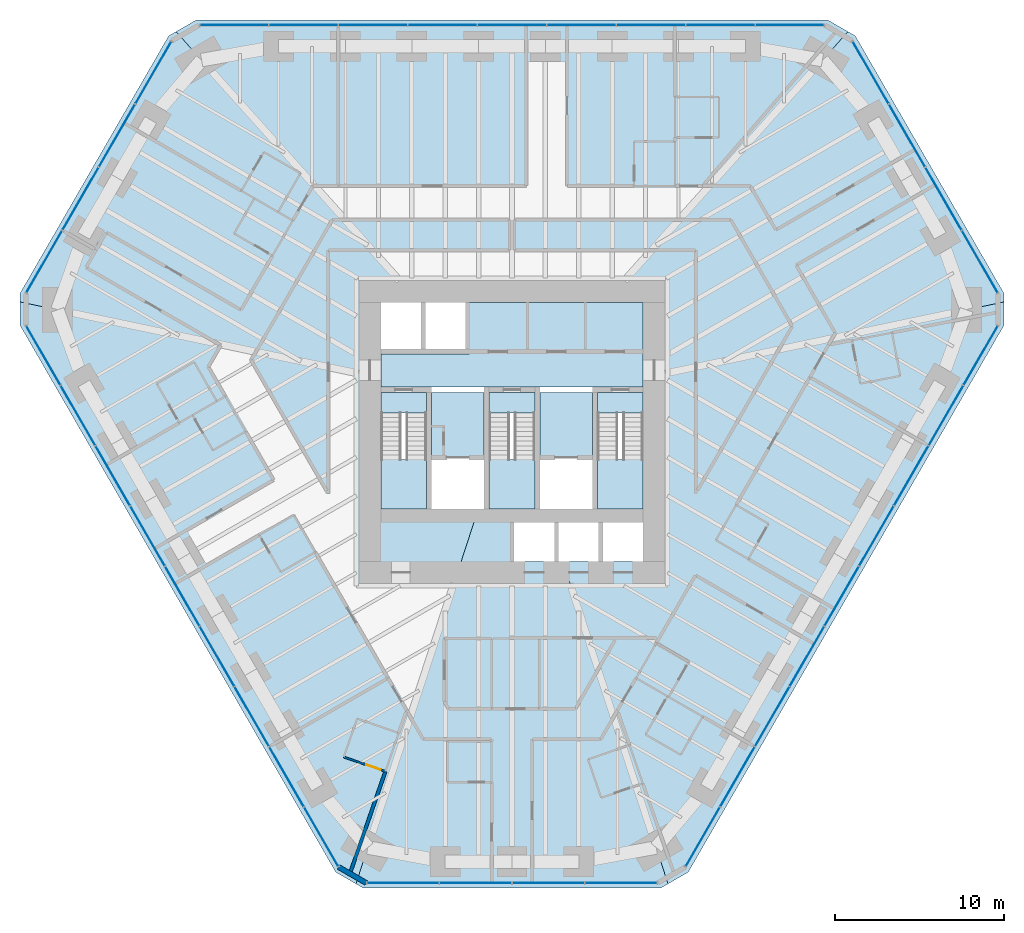
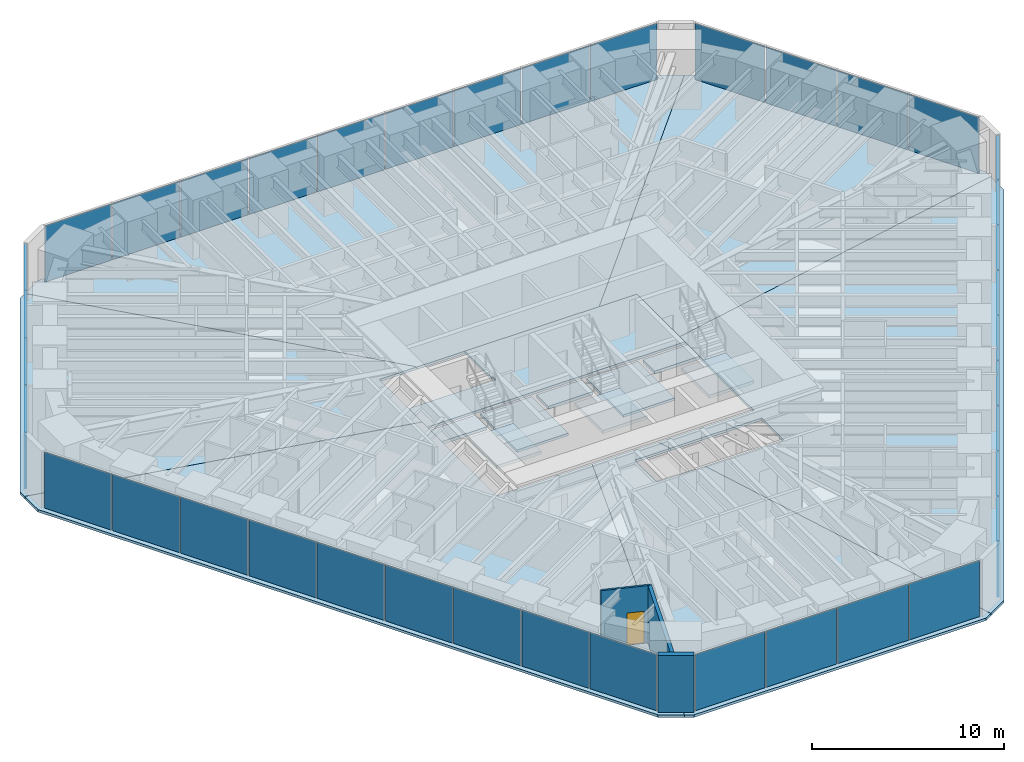
# One storey, part 10 of 16: 39 plates, 15 slabs, 3 walls, 1 door, 1 opening, 9 elements without a shape of their own.
"""IFC4 building model written with IfcOpenShell, lengths in metres."""

from ifc_helpers import new_model, si_unit, direction, frame, frame_2d, origin, origin_2d, place, context, subcontext, project, spatial, polyline, rectangle, outline, extrude, material, layer, layer_set, type_object, element, fill, aggregate, save


model = new_model("IFC4")

# Units and contexts
model_context = context("Model", 3, precision=1e-05, world=origin(), true_north=direction((0.0, 1.0)))
body_context = subcontext(model_context, "Body", "Model", "MODEL_VIEW")
ifc_project = project(units=[si_unit("LENGTHUNIT", "METRE"), si_unit("AREAUNIT", "SQUARE_METRE"), si_unit("VOLUMEUNIT", "CUBIC_METRE"), si_unit("PLANEANGLEUNIT", "RADIAN"), si_unit("MASSUNIT", "GRAM", prefix="KILO")], contexts=[model_context])

# Site, building, storey
site_placement = place(None, origin())
site = spatial("IfcSite", under=ifc_project, at=site_placement, CompositionType="ELEMENT")
building_placement = place(site_placement, origin())
building = spatial("IfcBuilding", under=site, at=building_placement, Name="Sandreach Pilgrim Tower", CompositionType="ELEMENT")
storey_placement = place(building_placement, frame((0.0, 0.0, 131.0)))
storey = spatial("IfcBuildingStorey", under=building, at=storey_placement, Name="L32", CompositionType="ELEMENT", Elevation=131.0)

# Curtain wall, plates
ifc_material_1 = material(Name="Aluminium framed curtain wall", Category="aluminium")
curtain_wall_type = type_object("IfcCurtainWallType", Name="Hotel tower curtain wall", PredefinedType="NOTDEFINED", material=ifc_material_1)
curtain_wall_1_placement = place(storey_placement, origin())
curtain_wall_1 = element("IfcCurtainWall", 1, at=curtain_wall_1_placement, inside=storey, type_object=curtain_wall_type, Name="CW-2 L32 N", PredefinedType="NOTDEFINED")
ifc_material_2 = material(Name="Insulating glass unit 8 heat-strengthened + 16 argon + 8 heat-strengthened", Category="glass")
ifc_layer_1 = layer(ifc_material_2, 0.031982421875)
ifc_layer_set_1 = layer_set([ifc_layer_1], Name="CW-2 panel")
plate_type = type_object("IfcPlateType", Name="CW-2 panel", PredefinedType="CURTAIN_PANEL", material=ifc_layer_set_1)
plate_1_placement = place(storey_placement, frame((-16.41162109375, 22.493896484375, 0.0), z_axis=(0.0, 0.0, 1.0), x_axis=(1.0, 0.0, 0.0)))
plate_1 = element("IfcPlate", 2, at=plate_1_placement, type_object=plate_type, Name="CW-2 panel 1", PredefinedType="CURTAIN_PANEL", context=body_context, shape_type="SweptSolid", body=[
    extrude(rectangle(XDim=4.009521484375, YDim=0.031982421875, at=origin_2d()), origin(), (0.0, 0.0, 1.0), 3.570068359375),
])
plate_2_placement = place(storey_placement, frame((-12.32080078125, 22.493896484375, 0.0), z_axis=(0.0, 0.0, 1.0), x_axis=(1.0, 0.0, 0.0)))
plate_2 = element("IfcPlate", 3, at=plate_2_placement, type_object=plate_type, Name="CW-2 panel 2", PredefinedType="CURTAIN_PANEL", context=body_context, shape_type="SweptSolid", body=[
    extrude(rectangle(XDim=4.0419921875, YDim=0.031982421875, at=origin_2d()), origin(), (0.0, 0.0, 1.0), 3.570068359375),
])
plate_3_placement = place(storey_placement, frame((-8.2138671875, 22.493896484375, 0.0), z_axis=(0.0, 0.0, 1.0), x_axis=(1.0, 0.0, 0.0)))
plate_3 = element("IfcPlate", 4, at=plate_3_placement, type_object=plate_type, Name="CW-2 panel 3", PredefinedType="CURTAIN_PANEL", context=body_context, shape_type="SweptSolid", body=[
    extrude(rectangle(XDim=4.0419921875, YDim=0.031982421875, at=origin_2d()), origin(), (0.0, 0.0, 1.0), 3.570068359375),
])
plate_4_placement = place(storey_placement, frame((-4.10693359375, 22.493896484375, 0.0), z_axis=(0.0, 0.0, 1.0), x_axis=(1.0, 0.0, 0.0)))
plate_4 = element("IfcPlate", 5, at=plate_4_placement, type_object=plate_type, Name="CW-2 panel 4", PredefinedType="CURTAIN_PANEL", context=body_context, shape_type="SweptSolid", body=[
    extrude(rectangle(XDim=4.0419921875, YDim=0.031982421875, at=origin_2d()), origin(), (0.0, 0.0, 1.0), 3.570068359375),
])
plate_5_placement = place(storey_placement, frame((0.0, 22.493896484375, 0.0), z_axis=(0.0, 0.0, 1.0), x_axis=(1.0, 0.0, 0.0)))
plate_5 = element("IfcPlate", 6, at=plate_5_placement, type_object=plate_type, Name="CW-2 panel 5", PredefinedType="CURTAIN_PANEL", context=body_context, shape_type="SweptSolid", body=[
    extrude(rectangle(XDim=4.0419921875, YDim=0.031982421875, at=origin_2d()), origin(), (0.0, 0.0, 1.0), 3.570068359375),
])
plate_6_placement = place(storey_placement, frame((4.10693359375, 22.493896484375, 0.0), z_axis=(0.0, 0.0, 1.0), x_axis=(1.0, 0.0, 0.0)))
plate_6 = element("IfcPlate", 7, at=plate_6_placement, type_object=plate_type, Name="CW-2 panel 6", PredefinedType="CURTAIN_PANEL", context=body_context, shape_type="SweptSolid", body=[
    extrude(rectangle(XDim=4.0419921875, YDim=0.031982421875, at=origin_2d()), origin(), (0.0, 0.0, 1.0), 3.570068359375),
])
plate_7_placement = place(storey_placement, frame((8.2138671875, 22.493896484375, 0.0), z_axis=(0.0, 0.0, 1.0), x_axis=(1.0, 0.0, 0.0)))
plate_7 = element("IfcPlate", 8, at=plate_7_placement, type_object=plate_type, Name="CW-2 panel 7", PredefinedType="CURTAIN_PANEL", context=body_context, shape_type="SweptSolid", body=[
    extrude(rectangle(XDim=4.0419921875, YDim=0.031982421875, at=origin_2d()), origin(), (0.0, 0.0, 1.0), 3.570068359375),
])
plate_8_placement = place(storey_placement, frame((12.32080078125, 22.493896484375, 0.0), z_axis=(0.0, 0.0, 1.0), x_axis=(1.0, 0.0, 0.0)))
plate_8 = element("IfcPlate", 9, at=plate_8_placement, type_object=plate_type, Name="CW-2 panel 8", PredefinedType="CURTAIN_PANEL", context=body_context, shape_type="SweptSolid", body=[
    extrude(rectangle(XDim=4.0419921875, YDim=0.031982421875, at=origin_2d()), origin(), (0.0, 0.0, 1.0), 3.570068359375),
])
plate_9_placement = place(storey_placement, frame((16.41162109375, 22.493896484375, 0.0), z_axis=(0.0, 0.0, 1.0), x_axis=(1.0, 0.0, 0.0)))
plate_9 = element("IfcPlate", 10, at=plate_9_placement, type_object=plate_type, Name="CW-2 panel 9", PredefinedType="CURTAIN_PANEL", context=body_context, shape_type="SweptSolid", body=[
    extrude(rectangle(XDim=4.009521484375, YDim=0.031982421875, at=origin_2d()), origin(), (0.0, 0.0, 1.0), 3.570068359375),
])
aggregate(curtain_wall_1, [plate_1, plate_2, plate_3, plate_4, plate_5, plate_6, plate_7, plate_8, plate_9])

curtain_wall_2_placement = place(storey_placement, origin())
curtain_wall_2 = element("IfcCurtainWall", 11, at=curtain_wall_2_placement, inside=storey, type_object=curtain_wall_type, Name="CW-2 L32 NE", PredefinedType="NOTDEFINED")
plate_10_placement = place(storey_placement, frame((21.194091796875, 19.67529296875, 0.0), z_axis=(0.0, 0.0, 1.0), x_axis=(0.5, -0.866025403784, 0.0)))
plate_10 = element("IfcPlate", 12, at=plate_10_placement, type_object=plate_type, Name="CW-2 panel 1", PredefinedType="CURTAIN_PANEL", context=body_context, shape_type="SweptSolid", body=[
    extrude(rectangle(XDim=4.208251953125, YDim=0.031982421875, at=origin_2d()), origin(), (0.0, 0.0, 1.0), 3.570068359375),
])
plate_11_placement = place(storey_placement, frame((23.3388671875, 15.96044921875, 0.0), z_axis=(0.0, 0.0, 1.0), x_axis=(0.5, -0.866025403784, 0.0)))
plate_11 = element("IfcPlate", 13, at=plate_11_placement, type_object=plate_type, Name="CW-2 panel 2", PredefinedType="CURTAIN_PANEL", context=body_context, shape_type="SweptSolid", body=[
    extrude(rectangle(XDim=4.24072265625, YDim=0.031982421875, at=origin_2d()), origin(), (0.0, 0.0, 1.0), 3.570068359375),
])
plate_12_placement = place(storey_placement, frame((25.49169921875, 12.231689453125, 0.0), z_axis=(0.0, 0.0, 1.0), x_axis=(0.5, -0.866025403784, 0.0)))
plate_12 = element("IfcPlate", 14, at=plate_12_placement, type_object=plate_type, Name="CW-2 panel 3", PredefinedType="CURTAIN_PANEL", context=body_context, shape_type="SweptSolid", body=[
    extrude(rectangle(XDim=4.24072265625, YDim=0.031982421875, at=origin_2d()), origin(), (0.0, 0.0, 1.0), 3.570068359375),
])
plate_13_placement = place(storey_placement, frame((27.63623046875, 8.516845703125, 0.0), z_axis=(0.0, 0.0, 1.0), x_axis=(0.5, -0.866025403784, 0.0)))
plate_13 = element("IfcPlate", 15, at=plate_13_placement, type_object=plate_type, Name="CW-2 panel 4", PredefinedType="CURTAIN_PANEL", context=body_context, shape_type="SweptSolid", body=[
    extrude(rectangle(XDim=4.208251953125, YDim=0.031982421875, at=origin_2d()), origin(), (0.0, 0.0, 1.0), 3.570068359375),
])
aggregate(curtain_wall_2, [plate_10, plate_11, plate_12, plate_13])

curtain_wall_3_placement = place(storey_placement, origin())
curtain_wall_3 = element("IfcCurtainWall", 16, at=curtain_wall_3_placement, inside=storey, type_object=curtain_wall_type, Name="CW-2 L32 SE", PredefinedType="NOTDEFINED")
plate_14_placement = place(storey_placement, frame((27.68603515625, 2.966064453125, 0.0), z_axis=(0.0, 0.0, 1.0), x_axis=(-0.5, -0.866025403784, 0.0)))
plate_14 = element("IfcPlate", 17, at=plate_14_placement, type_object=plate_type, Name="CW-2 panel 1", PredefinedType="CURTAIN_PANEL", context=body_context, shape_type="SweptSolid", body=[
    extrude(rectangle(XDim=4.009521484375, YDim=0.031982421875, at=origin_2d()), origin(), (0.0, 0.0, 1.0), 3.570068359375),
])
plate_15_placement = place(storey_placement, frame((25.640625, -0.57666015625, 0.0), z_axis=(0.0, 0.0, 1.0), x_axis=(-0.5, -0.866025403784, 0.0)))
plate_15 = element("IfcPlate", 18, at=plate_15_placement, type_object=plate_type, Name="CW-2 panel 2", PredefinedType="CURTAIN_PANEL", context=body_context, shape_type="SweptSolid", body=[
    extrude(rectangle(XDim=4.0419921875, YDim=0.031982421875, at=origin_2d()), origin(), (0.0, 0.0, 1.0), 3.570068359375),
])
plate_16_placement = place(storey_placement, frame((23.587158203125, -4.13330078125, 0.0), z_axis=(0.0, 0.0, 1.0), x_axis=(-0.5, -0.866025403784, 0.0)))
plate_16 = element("IfcPlate", 19, at=plate_16_placement, type_object=plate_type, Name="CW-2 panel 3", PredefinedType="CURTAIN_PANEL", context=body_context, shape_type="SweptSolid", body=[
    extrude(rectangle(XDim=4.0419921875, YDim=0.031982421875, at=origin_2d()), origin(), (0.0, 0.0, 1.0), 3.570068359375),
])
plate_17_placement = place(storey_placement, frame((21.53369140625, -7.690185546875, 0.0), z_axis=(0.0, 0.0, 1.0), x_axis=(-0.5, -0.866025403784, 0.0)))
plate_17 = element("IfcPlate", 20, at=plate_17_placement, type_object=plate_type, Name="CW-2 panel 4", PredefinedType="CURTAIN_PANEL", context=body_context, shape_type="SweptSolid", body=[
    extrude(rectangle(XDim=4.0419921875, YDim=0.031982421875, at=origin_2d()), origin(), (0.0, 0.0, 1.0), 3.570068359375),
])
plate_18_placement = place(storey_placement, frame((19.480224609375, -11.246826171875, 0.0), z_axis=(0.0, 0.0, 1.0), x_axis=(-0.5, -0.866025403784, 0.0)))
plate_18 = element("IfcPlate", 21, at=plate_18_placement, type_object=plate_type, Name="CW-2 panel 5", PredefinedType="CURTAIN_PANEL", context=body_context, shape_type="SweptSolid", body=[
    extrude(rectangle(XDim=4.0419921875, YDim=0.031982421875, at=origin_2d()), origin(), (0.0, 0.0, 1.0), 3.570068359375),
])
plate_19_placement = place(storey_placement, frame((17.4267578125, -14.8037109375, 0.0), z_axis=(0.0, 0.0, 1.0), x_axis=(-0.5, -0.866025403784, 0.0)))
plate_19 = element("IfcPlate", 22, at=plate_19_placement, type_object=plate_type, Name="CW-2 panel 6", PredefinedType="CURTAIN_PANEL", context=body_context, shape_type="SweptSolid", body=[
    extrude(rectangle(XDim=4.0419921875, YDim=0.031982421875, at=origin_2d()), origin(), (0.0, 0.0, 1.0), 3.570068359375),
])
plate_20_placement = place(storey_placement, frame((15.373291015625, -18.3603515625, 0.0), z_axis=(0.0, 0.0, 1.0), x_axis=(-0.5, -0.866025403784, 0.0)))
plate_20 = element("IfcPlate", 23, at=plate_20_placement, type_object=plate_type, Name="CW-2 panel 7", PredefinedType="CURTAIN_PANEL", context=body_context, shape_type="SweptSolid", body=[
    extrude(rectangle(XDim=4.0419921875, YDim=0.031982421875, at=origin_2d()), origin(), (0.0, 0.0, 1.0), 3.570068359375),
])
plate_21_placement = place(storey_placement, frame((13.31982421875, -21.917236328125, 0.0), z_axis=(0.0, 0.0, 1.0), x_axis=(-0.5, -0.866025403784, 0.0)))
plate_21 = element("IfcPlate", 24, at=plate_21_placement, type_object=plate_type, Name="CW-2 panel 8", PredefinedType="CURTAIN_PANEL", context=body_context, shape_type="SweptSolid", body=[
    extrude(rectangle(XDim=4.0419921875, YDim=0.031982421875, at=origin_2d()), origin(), (0.0, 0.0, 1.0), 3.570068359375),
])
plate_22_placement = place(storey_placement, frame((11.2744140625, -25.459716796875, 0.0), z_axis=(0.0, 0.0, 1.0), x_axis=(-0.5, -0.866025403784, 0.0)))
plate_22 = element("IfcPlate", 25, at=plate_22_placement, type_object=plate_type, Name="CW-2 panel 9", PredefinedType="CURTAIN_PANEL", context=body_context, shape_type="SweptSolid", body=[
    extrude(rectangle(XDim=4.009521484375, YDim=0.031982421875, at=origin_2d()), origin(), (0.0, 0.0, 1.0), 3.570068359375),
])
aggregate(curtain_wall_3, [plate_14, plate_15, plate_16, plate_17, plate_18, plate_19, plate_20, plate_21, plate_22])

curtain_wall_4_placement = place(storey_placement, origin())
curtain_wall_4 = element("IfcCurtainWall", 26, at=curtain_wall_4_placement, inside=storey, type_object=curtain_wall_type, Name="CW-2 L32 S", PredefinedType="NOTDEFINED")
plate_23_placement = place(storey_placement, frame((6.4423828125, -28.192138671875, 0.0), z_axis=(0.0, 0.0, 1.0), x_axis=(-1.0, 0.0, 0.0)))
plate_23 = element("IfcPlate", 27, at=plate_23_placement, type_object=plate_type, Name="CW-2 panel 1", PredefinedType="CURTAIN_PANEL", context=body_context, shape_type="SweptSolid", body=[
    extrude(rectangle(XDim=4.208251953125, YDim=0.031982421875, at=origin_2d()), origin(), (0.0, 0.0, 1.0), 3.570068359375),
])
plate_24_placement = place(storey_placement, frame((2.15283203125, -28.192138671875, 0.0), z_axis=(0.0, 0.0, 1.0), x_axis=(-1.0, 0.0, 0.0)))
plate_24 = element("IfcPlate", 28, at=plate_24_placement, type_object=plate_type, Name="CW-2 panel 2", PredefinedType="CURTAIN_PANEL", context=body_context, shape_type="SweptSolid", body=[
    extrude(rectangle(XDim=4.24072265625, YDim=0.031982421875, at=origin_2d()), origin(), (0.0, 0.0, 1.0), 3.570068359375),
])
plate_25_placement = place(storey_placement, frame((-2.15283203125, -28.192138671875, 0.0), z_axis=(0.0, 0.0, 1.0), x_axis=(-1.0, 0.0, 0.0)))
plate_25 = element("IfcPlate", 29, at=plate_25_placement, type_object=plate_type, Name="CW-2 panel 3", PredefinedType="CURTAIN_PANEL", context=body_context, shape_type="SweptSolid", body=[
    extrude(rectangle(XDim=4.24072265625, YDim=0.031982421875, at=origin_2d()), origin(), (0.0, 0.0, 1.0), 3.570068359375),
])
plate_26_placement = place(storey_placement, frame((-6.4423828125, -28.192138671875, 0.0), z_axis=(0.0, 0.0, 1.0), x_axis=(-1.0, 0.0, 0.0)))
plate_26 = element("IfcPlate", 30, at=plate_26_placement, type_object=plate_type, Name="CW-2 panel 4", PredefinedType="CURTAIN_PANEL", context=body_context, shape_type="SweptSolid", body=[
    extrude(rectangle(XDim=4.208251953125, YDim=0.031982421875, at=origin_2d()), origin(), (0.0, 0.0, 1.0), 3.570068359375),
])
aggregate(curtain_wall_4, [plate_23, plate_24, plate_25, plate_26])

curtain_wall_5_placement = place(storey_placement, origin())
curtain_wall_5 = element("IfcCurtainWall", 31, at=curtain_wall_5_placement, inside=storey, type_object=curtain_wall_type, Name="CW-2 L32 SW", PredefinedType="NOTDEFINED")
plate_27_placement = place(storey_placement, frame((-11.2744140625, -25.459716796875, 0.0), z_axis=(0.0, 0.0, 1.0), x_axis=(-0.5, 0.866025403784, 0.0)))
plate_27 = element("IfcPlate", 32, at=plate_27_placement, type_object=plate_type, Name="CW-2 panel 1", PredefinedType="CURTAIN_PANEL", context=body_context, shape_type="SweptSolid", body=[
    extrude(rectangle(XDim=4.009521484375, YDim=0.031982421875, at=origin_2d()), origin(), (0.0, 0.0, 1.0), 3.570068359375),
])
plate_28_placement = place(storey_placement, frame((-13.31982421875, -21.917236328125, 0.0), z_axis=(0.0, 0.0, 1.0), x_axis=(-0.5, 0.866025403784, 0.0)))
plate_28 = element("IfcPlate", 33, at=plate_28_placement, type_object=plate_type, Name="CW-2 panel 2", PredefinedType="CURTAIN_PANEL", context=body_context, shape_type="SweptSolid", body=[
    extrude(rectangle(XDim=4.0419921875, YDim=0.031982421875, at=origin_2d()), origin(), (0.0, 0.0, 1.0), 3.570068359375),
])
plate_29_placement = place(storey_placement, frame((-15.373291015625, -18.3603515625, 0.0), z_axis=(0.0, 0.0, 1.0), x_axis=(-0.5, 0.866025403784, 0.0)))
plate_29 = element("IfcPlate", 34, at=plate_29_placement, type_object=plate_type, Name="CW-2 panel 3", PredefinedType="CURTAIN_PANEL", context=body_context, shape_type="SweptSolid", body=[
    extrude(rectangle(XDim=4.0419921875, YDim=0.031982421875, at=origin_2d()), origin(), (0.0, 0.0, 1.0), 3.570068359375),
])
plate_30_placement = place(storey_placement, frame((-17.4267578125, -14.8037109375, 0.0), z_axis=(0.0, 0.0, 1.0), x_axis=(-0.5, 0.866025403784, 0.0)))
plate_30 = element("IfcPlate", 35, at=plate_30_placement, type_object=plate_type, Name="CW-2 panel 4", PredefinedType="CURTAIN_PANEL", context=body_context, shape_type="SweptSolid", body=[
    extrude(rectangle(XDim=4.0419921875, YDim=0.031982421875, at=origin_2d()), origin(), (0.0, 0.0, 1.0), 3.570068359375),
])
plate_31_placement = place(storey_placement, frame((-19.480224609375, -11.246826171875, 0.0), z_axis=(0.0, 0.0, 1.0), x_axis=(-0.5, 0.866025403784, 0.0)))
plate_31 = element("IfcPlate", 36, at=plate_31_placement, type_object=plate_type, Name="CW-2 panel 5", PredefinedType="CURTAIN_PANEL", context=body_context, shape_type="SweptSolid", body=[
    extrude(rectangle(XDim=4.0419921875, YDim=0.031982421875, at=origin_2d()), origin(), (0.0, 0.0, 1.0), 3.570068359375),
])
plate_32_placement = place(storey_placement, frame((-21.53369140625, -7.690185546875, 0.0), z_axis=(0.0, 0.0, 1.0), x_axis=(-0.5, 0.866025403784, 0.0)))
plate_32 = element("IfcPlate", 37, at=plate_32_placement, type_object=plate_type, Name="CW-2 panel 6", PredefinedType="CURTAIN_PANEL", context=body_context, shape_type="SweptSolid", body=[
    extrude(rectangle(XDim=4.0419921875, YDim=0.031982421875, at=origin_2d()), origin(), (0.0, 0.0, 1.0), 3.570068359375),
])
plate_33_placement = place(storey_placement, frame((-23.587158203125, -4.13330078125, 0.0), z_axis=(0.0, 0.0, 1.0), x_axis=(-0.5, 0.866025403784, 0.0)))
plate_33 = element("IfcPlate", 38, at=plate_33_placement, type_object=plate_type, Name="CW-2 panel 7", PredefinedType="CURTAIN_PANEL", context=body_context, shape_type="SweptSolid", body=[
    extrude(rectangle(XDim=4.0419921875, YDim=0.031982421875, at=origin_2d()), origin(), (0.0, 0.0, 1.0), 3.570068359375),
])
plate_34_placement = place(storey_placement, frame((-25.640625, -0.57666015625, 0.0), z_axis=(0.0, 0.0, 1.0), x_axis=(-0.5, 0.866025403784, 0.0)))
plate_34 = element("IfcPlate", 39, at=plate_34_placement, type_object=plate_type, Name="CW-2 panel 8", PredefinedType="CURTAIN_PANEL", context=body_context, shape_type="SweptSolid", body=[
    extrude(rectangle(XDim=4.0419921875, YDim=0.031982421875, at=origin_2d()), origin(), (0.0, 0.0, 1.0), 3.570068359375),
])
plate_35_placement = place(storey_placement, frame((-27.68603515625, 2.966064453125, 0.0), z_axis=(0.0, 0.0, 1.0), x_axis=(-0.5, 0.866025403784, 0.0)))
plate_35 = element("IfcPlate", 40, at=plate_35_placement, type_object=plate_type, Name="CW-2 panel 9", PredefinedType="CURTAIN_PANEL", context=body_context, shape_type="SweptSolid", body=[
    extrude(rectangle(XDim=4.009521484375, YDim=0.031982421875, at=origin_2d()), origin(), (0.0, 0.0, 1.0), 3.570068359375),
])
aggregate(curtain_wall_5, [plate_27, plate_28, plate_29, plate_30, plate_31, plate_32, plate_33, plate_34, plate_35])

curtain_wall_6_placement = place(storey_placement, origin())
curtain_wall_6 = element("IfcCurtainWall", 41, at=curtain_wall_6_placement, inside=storey, type_object=curtain_wall_type, Name="CW-2 L32 NW", PredefinedType="NOTDEFINED")
plate_36_placement = place(storey_placement, frame((-27.63623046875, 8.516845703125, 0.0), z_axis=(0.0, 0.0, 1.0), x_axis=(0.5, 0.866025403784, 0.0)))
plate_36 = element("IfcPlate", 42, at=plate_36_placement, type_object=plate_type, Name="CW-2 panel 1", PredefinedType="CURTAIN_PANEL", context=body_context, shape_type="SweptSolid", body=[
    extrude(rectangle(XDim=4.208251953125, YDim=0.031982421875, at=origin_2d()), origin(), (0.0, 0.0, 1.0), 3.570068359375),
])
plate_37_placement = place(storey_placement, frame((-25.49169921875, 12.231689453125, 0.0), z_axis=(0.0, 0.0, 1.0), x_axis=(0.5, 0.866025403784, 0.0)))
plate_37 = element("IfcPlate", 43, at=plate_37_placement, type_object=plate_type, Name="CW-2 panel 2", PredefinedType="CURTAIN_PANEL", context=body_context, shape_type="SweptSolid", body=[
    extrude(rectangle(XDim=4.24072265625, YDim=0.031982421875, at=origin_2d()), origin(), (0.0, 0.0, 1.0), 3.570068359375),
])
plate_38_placement = place(storey_placement, frame((-23.3388671875, 15.96044921875, 0.0), z_axis=(0.0, 0.0, 1.0), x_axis=(0.5, 0.866025403784, 0.0)))
plate_38 = element("IfcPlate", 44, at=plate_38_placement, type_object=plate_type, Name="CW-2 panel 3", PredefinedType="CURTAIN_PANEL", context=body_context, shape_type="SweptSolid", body=[
    extrude(rectangle(XDim=4.24072265625, YDim=0.031982421875, at=origin_2d()), origin(), (0.0, 0.0, 1.0), 3.570068359375),
])
plate_39_placement = place(storey_placement, frame((-21.194091796875, 19.67529296875, 0.0), z_axis=(0.0, 0.0, 1.0), x_axis=(0.5, 0.866025403784, 0.0)))
plate_39 = element("IfcPlate", 45, at=plate_39_placement, type_object=plate_type, Name="CW-2 panel 4", PredefinedType="CURTAIN_PANEL", context=body_context, shape_type="SweptSolid", body=[
    extrude(rectangle(XDim=4.208251953125, YDim=0.031982421875, at=origin_2d()), origin(), (0.0, 0.0, 1.0), 3.570068359375),
])
aggregate(curtain_wall_6, [plate_36, plate_37, plate_38, plate_39])

# Slabs
ifc_material_3 = material(Name="Concrete 8000 psi", Category="concrete")
ifc_layer_2 = layer(ifc_material_3, 0.159912109375)
ifc_layer_set_2 = layer_set([ifc_layer_2], Name="Composite floor slab 160")
slab_type_1 = type_object("IfcSlabType", Name="Composite floor slab 160", PredefinedType="FLOOR", material=ifc_layer_set_2)
slab_1_placement = place(storey_placement, frame((0.0, 0.0, -0.159912109375)))
element("IfcSlab", 46, at=slab_1_placement, inside=storey, type_object=slab_type_1, Name="Floor slab L32 N sector", PredefinedType="FLOOR", context=body_context, shape_type="SweptSolid", body=[
    extrude(outline(polyline([(-18.654541015625, 22.793701171875), (18.654541015625, 22.793701171875), (19.848388671875, 22.1044921875), (5.477294921875, 6.10009765625), (-5.477294921875, 6.10009765625), (-19.848388671875, 22.1044921875), (-18.654541015625, 22.793701171875)])), origin(), (0.0, 0.0, 1.0), 0.159912109375),
])
slab_2_placement = place(storey_placement, frame((0.0, 0.0, -0.159912109375)))
element("IfcSlab", 47, at=slab_2_placement, inside=storey, type_object=slab_type_1, Name="Floor slab L32 NE sector", PredefinedType="FLOOR", context=body_context, shape_type="SweptSolid", body=[
    extrude(outline(polyline([(20.28271484375, 21.853759765625), (29.0673828125, 6.638427734375), (29.0673828125, 6.13720703125), (7.75, 1.63623046875), (7.75, 6.10009765625), (5.477294921875, 6.10009765625), (19.848388671875, 22.1044921875), (20.28271484375, 21.853759765625)])), origin(), (0.0, 0.0, 1.0), 0.159912109375),
])
slab_3_placement = place(storey_placement, frame((0.0, 0.0, -0.159912109375)))
element("IfcSlab", 48, at=slab_3_placement, inside=storey, type_object=slab_type_1, Name="Floor slab L32 SE sector", PredefinedType="FLOOR", context=body_context, shape_type="SweptSolid", body=[
    extrude(outline(polyline([(29.0673828125, 4.75830078125), (10.41259765625, -27.55224609375), (9.21875, -28.241455078125), (3.003173828125, -9.199951171875), (7.75, -9.199951171875), (7.75, -6.89990234375), (2.252197265625, -6.89990234375), (1.9912109375, -6.10009765625), (7.75, -6.10009765625), (7.75, 1.63623046875), (29.0673828125, 6.13720703125), (29.0673828125, 4.75830078125)])), origin(), (0.0, 0.0, 1.0), 0.159912109375),
])
slab_4_placement = place(storey_placement, frame((0.0, 0.0, -0.159912109375)))
element("IfcSlab", 49, at=slab_4_placement, inside=storey, type_object=slab_type_1, Name="Floor slab L32 S sector", PredefinedType="FLOOR", context=body_context, shape_type="SweptSolid", body=[
    extrude(outline(polyline([(8.78466796875, -28.4921875), (-8.78466796875, -28.4921875), (-9.21875, -28.241455078125), (-1.9912109375, -6.10009765625), (1.9912109375, -6.10009765625), (2.252197265625, -6.89990234375), (0.125, -6.89990234375), (0.125, -9.199951171875), (3.003173828125, -9.199951171875), (9.21875, -28.241455078125), (8.78466796875, -28.4921875)])), origin(), (0.0, 0.0, 1.0), 0.159912109375),
])
slab_5_placement = place(storey_placement, frame((0.0, 0.0, -0.159912109375)))
element("IfcSlab", 50, at=slab_5_placement, inside=storey, type_object=slab_type_1, Name="Floor slab L32 SW sector", PredefinedType="FLOOR", context=body_context, shape_type="SweptSolid", body=[
    extrude(outline(polyline([(-10.41259765625, -27.55224609375), (-29.0673828125, 4.75830078125), (-29.0673828125, 6.13720703125), (-7.75, 1.63623046875), (-7.75, -6.10009765625), (-1.9912109375, -6.10009765625), (-9.21875, -28.241455078125), (-10.41259765625, -27.55224609375)])), origin(), (0.0, 0.0, 1.0), 0.159912109375),
])
slab_6_placement = place(storey_placement, frame((0.0, 0.0, -0.159912109375)))
element("IfcSlab", 51, at=slab_6_placement, inside=storey, type_object=slab_type_1, Name="Floor slab L32 NW sector", PredefinedType="FLOOR", context=body_context, shape_type="SweptSolid", body=[
    extrude(outline(polyline([(-29.0673828125, 6.638427734375), (-20.28271484375, 21.853759765625), (-19.848388671875, 22.1044921875), (-5.477294921875, 6.10009765625), (-7.75, 6.10009765625), (-7.75, 1.63623046875), (-29.0673828125, 6.13720703125), (-29.0673828125, 6.638427734375)])), origin(), (0.0, 0.0, 1.0), 0.159912109375),
])
slab_7_placement = place(storey_placement, frame((0.0, 0.0, -0.159912109375)))
element("IfcSlab", 52, at=slab_7_placement, inside=storey, type_object=slab_type_1, Name="Core floor slab and stores L32", PredefinedType="FLOOR", context=body_context, shape_type="SweptSolid", body=[
    extrude(outline(polyline([(-7.75, 3.050048828125), (-5.375, 3.050048828125), (-5.125, 3.050048828125), (-2.5, 3.050048828125), (-2.5, 3.35009765625), (-2.60009765625, 3.35009765625), (-2.60009765625, 6.10009765625), (7.75, 6.10009765625), (7.75, 1.10009765625), (5.050048828125, 1.10009765625), (4.75, 1.10009765625), (1.64990234375, 1.10009765625), (1.35009765625, 1.10009765625), (-1.35009765625, 1.10009765625), (-1.64990234375, 1.10009765625), (-4.75, 1.10009765625), (-5.050048828125, 1.10009765625), (-7.75, 1.10009765625), (-7.75, 3.050048828125)])), origin(), (0.0, 0.0, 1.0), 0.159912109375),
])
slab_8_placement = place(storey_placement, frame((0.0, 0.0, -0.159912109375)))
element("IfcSlab", 53, at=slab_8_placement, inside=storey, type_object=slab_type_1, Name="Core floor slab and stores L32 2", PredefinedType="FLOOR", context=body_context, shape_type="SweptSolid", body=[
    extrude(outline(polyline([(-1.64990234375, -3.050048828125), (-4.75, -3.050048828125), (-4.75, 0.800048828125), (-1.64990234375, 0.800048828125), (-1.64990234375, -3.050048828125)])), origin(), (0.0, 0.0, 1.0), 0.159912109375),
])
slab_9_placement = place(storey_placement, frame((0.0, 0.0, -0.159912109375)))
element("IfcSlab", 54, at=slab_9_placement, inside=storey, type_object=slab_type_1, Name="Core floor slab and stores L32 3", PredefinedType="FLOOR", context=body_context, shape_type="SweptSolid", body=[
    extrude(outline(polyline([(4.75, -3.050048828125), (1.64990234375, -3.050048828125), (1.64990234375, 0.800048828125), (4.75, 0.800048828125), (4.75, -3.050048828125)])), origin(), (0.0, 0.0, 1.0), 0.159912109375),
])

# Stair, slabs
ifc_material_4 = material(Name="Concrete 8000 psi", Category="concrete")
stair_type = type_object("IfcStairType", Name="Core exit stair", PredefinedType="HALF_TURN_STAIR", material=ifc_material_4)
stair_1_placement = place(storey_placement, origin())
stair_1 = element("IfcStair", 55, at=stair_1_placement, inside=storey, type_object=stair_type, Name="Exit stair ST1 L32", PredefinedType="HALF_TURN_STAIR")
ifc_material_5 = material(Name="Concrete 8000 psi", Category="concrete")
ifc_layer_3 = layer(ifc_material_5, 0.199951171875)
ifc_layer_set_3 = layer_set([ifc_layer_3], Name="Core stair landing 200")
slab_type_2 = type_object("IfcSlabType", Name="Core stair landing 200", PredefinedType="LANDING", material=ifc_layer_set_3)
slab_10_placement = place(storey_placement, frame((0.0, 0.0, -0.199951171875)))
slab_10 = element("IfcSlab", 56, at=slab_10_placement, type_object=slab_type_2, Name="ST1 landing 1", PredefinedType="LANDING", context=body_context, shape_type="SweptSolid", body=[
    extrude(outline(polyline([(-7.75, -0.425048828125), (-5.050048828125, -0.425048828125), (-5.050048828125, 0.800048828125), (-7.75, 0.800048828125), (-7.75, -0.425048828125)])), origin(), (0.0, 0.0, 1.0), 0.199951171875),
])
slab_11_placement = place(storey_placement, frame((0.0, 0.0, 1.699951171875)))
slab_11 = element("IfcSlab", 57, at=slab_11_placement, type_object=slab_type_2, Name="ST1 landing 2", PredefinedType="LANDING", context=body_context, shape_type="SweptSolid", body=[
    extrude(outline(polyline([(-7.75, -6.10009765625), (-5.050048828125, -6.10009765625), (-5.050048828125, -3.175048828125), (-7.75, -3.175048828125), (-7.75, -6.10009765625)])), origin(), (0.0, 0.0, 1.0), 0.199951171875),
])
aggregate(stair_1, [slab_10, slab_11])

stair_2_placement = place(storey_placement, origin())
stair_2 = element("IfcStair", 58, at=stair_2_placement, inside=storey, type_object=stair_type, Name="Exit stair ST3 L32", PredefinedType="HALF_TURN_STAIR")
slab_12_placement = place(storey_placement, frame((0.0, 0.0, -0.199951171875)))
slab_12 = element("IfcSlab", 59, at=slab_12_placement, type_object=slab_type_2, Name="ST3 landing 1", PredefinedType="LANDING", context=body_context, shape_type="SweptSolid", body=[
    extrude(outline(polyline([(-1.35009765625, -0.425048828125), (1.35009765625, -0.425048828125), (1.35009765625, 0.800048828125), (-1.35009765625, 0.800048828125), (-1.35009765625, -0.425048828125)])), origin(), (0.0, 0.0, 1.0), 0.199951171875),
])
slab_13_placement = place(storey_placement, frame((0.0, 0.0, 1.699951171875)))
slab_13 = element("IfcSlab", 60, at=slab_13_placement, type_object=slab_type_2, Name="ST3 landing 2", PredefinedType="LANDING", context=body_context, shape_type="SweptSolid", body=[
    extrude(outline(polyline([(-1.35009765625, -6.10009765625), (1.35009765625, -6.10009765625), (1.35009765625, -3.175048828125), (-1.35009765625, -3.175048828125), (-1.35009765625, -6.10009765625)])), origin(), (0.0, 0.0, 1.0), 0.199951171875),
])
aggregate(stair_2, [slab_12, slab_13])

stair_3_placement = place(storey_placement, origin())
stair_3 = element("IfcStair", 61, at=stair_3_placement, inside=storey, type_object=stair_type, Name="Exit stair ST2 L32", PredefinedType="HALF_TURN_STAIR")
slab_14_placement = place(storey_placement, frame((0.0, 0.0, -0.199951171875)))
slab_14 = element("IfcSlab", 62, at=slab_14_placement, type_object=slab_type_2, Name="ST2 landing 1", PredefinedType="LANDING", context=body_context, shape_type="SweptSolid", body=[
    extrude(outline(polyline([(5.050048828125, -0.425048828125), (7.75, -0.425048828125), (7.75, 0.800048828125), (5.050048828125, 0.800048828125), (5.050048828125, -0.425048828125)])), origin(), (0.0, 0.0, 1.0), 0.199951171875),
])
slab_15_placement = place(storey_placement, frame((0.0, 0.0, 1.699951171875)))
slab_15 = element("IfcSlab", 63, at=slab_15_placement, type_object=slab_type_2, Name="ST2 landing 2", PredefinedType="LANDING", context=body_context, shape_type="SweptSolid", body=[
    extrude(outline(polyline([(5.050048828125, -6.10009765625), (7.75, -6.10009765625), (7.75, -3.175048828125), (5.050048828125, -3.175048828125), (5.050048828125, -6.10009765625)])), origin(), (0.0, 0.0, 1.0), 0.199951171875),
])
aggregate(stair_3, [slab_14, slab_15])

# Wall, opening, door
ifc_material_6 = material(Name="Moisture-resistant gypsum board on steel studs", Category="steel")
ifc_layer_4 = layer(ifc_material_6, 0.1201171875)
ifc_layer_set_4 = layer_set([ifc_layer_4], Name="Bathroom partition 120")
wall_type_1 = type_object("IfcWallType", Name="Bathroom partition 120", PredefinedType="PARTITIONING", material=ifc_layer_set_4)
wall_1_placement = place(storey_placement, frame((-9.93994140625, -20.75, 0.0), z_axis=(0.0, 0.0, 1.0), x_axis=(0.94515546045, -0.326620813149, 0.0)))
wall_1 = element("IfcWall", 64, at=wall_1_placement, inside=storey, type_object=wall_type_1, Name="Bathroom partition L32-045", PredefinedType="PARTITIONING", context=body_context, shape_type="SweptSolid", body=[
    extrude(rectangle(XDim=2.602783203125, YDim=0.1201171875, at=frame_2d((1.30126953125, 0.0))), origin(), (0.0, 0.0, 1.0), 3.639892578125),
])
opening_placement = place(wall_1_placement, frame((1.402587890625, 0.0, 0.0)))
opening = element("IfcOpeningElement", 65, at=opening_placement, cuts=wall_1, Name="Opening D09-12B", PredefinedType="OPENING", context=body_context, shape_type="SweptSolid", body=[
    extrude(rectangle(XDim=0.89990234375, YDim=2.030029296875, at=frame_2d((0.449951171875, 1.01513671875))), frame((0.0, 0.06005859375, 0.0), z_axis=(0.0, -1.0, 0.0), x_axis=(1.0, 0.0, 0.0)), (0.0, 0.0, 1.0), 0.1201171875),
])
ifc_material_7 = material(Name="Timber door, steel frame", Category="steel")
door_type = type_object("IfcDoorType", Name="Bathroom door", OperationType="SINGLE_SWING_LEFT", PredefinedType="DOOR", material=ifc_material_7)
door_placement = place(opening_placement, origin())
door = element("IfcDoor", 66, at=door_placement, inside=storey, type_object=door_type, Name="Door 3212B", OperationType="SINGLE_SWING_RIGHT", OverallHeight=2.030029296875, OverallWidth=0.89990234375, PredefinedType="DOOR", context=body_context, shape_type="SweptSolid", body=[
    extrude(rectangle(XDim=0.89990234375, YDim=2.030029296875, at=frame_2d((0.449951171875, 1.01513671875))), frame((0.0, 0.02490234375, 0.0), z_axis=(0.0, -1.0, 0.0), x_axis=(1.0, 0.0, 0.0)), (0.0, 0.0, 1.0), 0.050048828125),
])
fill(opening, door)

# Walls
ifc_material_8 = material(Name="Double steel stud acoustic wall, gypsum board", Category="steel")
ifc_layer_5 = layer(ifc_material_8, 0.199951171875)
ifc_layer_set_5 = layer_set([ifc_layer_5], Name="Party wall 200")
wall_type_2 = type_object("IfcWallType", Name="Party wall 200", PredefinedType="PARTITIONING", material=ifc_layer_set_5)
wall_2_placement = place(storey_placement, frame((-9.580078125, -27.651611328125, 0.0), z_axis=(0.0, 0.0, 1.0), x_axis=(0.327855318627, 0.944727944991, 0.0)))
element("IfcWall", 67, at=wall_2_placement, inside=storey, type_object=wall_type_2, Name="Party wall L32-046", PredefinedType="PARTITIONING", context=body_context, shape_type="SweptSolid", body=[
    extrude(rectangle(XDim=6.405517578125, YDim=0.199951171875, at=frame_2d((3.20263671875, 0.0))), origin(), (0.0, 0.0, 1.0), 3.639892578125),
])
ifc_material_9 = material(Name="Terracotta rainscreen on concrete", Category="masonry")
ifc_layer_6 = layer(ifc_material_9, 0.300048828125)
ifc_layer_set_6 = layer_set([ifc_layer_6], Name="Terracotta chamfer pier")
wall_type_3 = type_object("IfcWallType", Name="Terracotta chamfer pier", PredefinedType="SOLIDWALL", material=ifc_layer_set_6)
wall_3_placement = place(storey_placement, frame((-8.611328125, -28.192138671875, 0.0), z_axis=(0.0, 0.0, 1.0), x_axis=(-0.866045024864, 0.499966013754, 0.0)))
element("IfcWall", 68, at=wall_3_placement, inside=storey, type_object=wall_type_3, Name="Chamfer pier L32 S", PredefinedType="SOLIDWALL", context=body_context, shape_type="SweptSolid", body=[
    extrude(rectangle(XDim=1.880126953125, YDim=0.300048828125, at=frame_2d((0.93994140625, 0.0))), origin(), (0.0, 0.0, 1.0), 3.639892578125),
])

save(model, "model.ifc")
